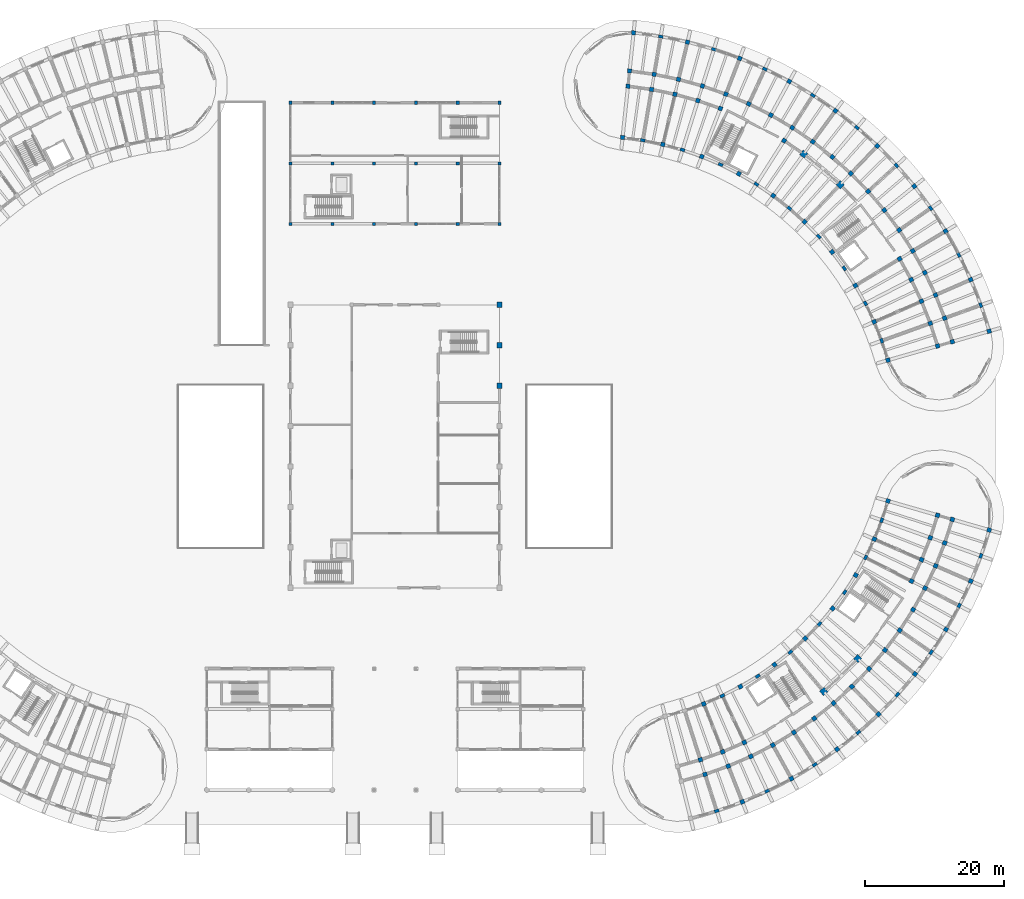
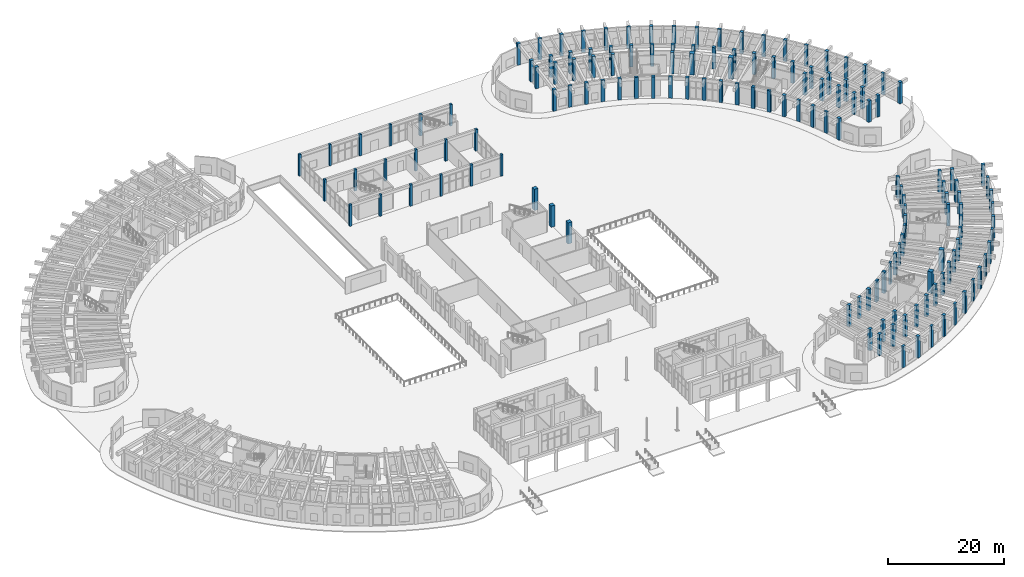
# One storey, part 5 of 132: 147 columns.
"""IFC4 building model written with IfcOpenShell, lengths in metres."""

from ifc_helpers import new_model, si_unit, direction, frame, origin, origin_2d, place, context, subcontext, project, spatial, rectangle, extrude, material, material_profile, profile_set, type_object, element, save


model = new_model("IFC4")

# Units and contexts
model_context = context("Model", 3, precision=1e-05, world=origin(), true_north=direction((0.0, 1.0)))
body_context = subcontext(model_context, "Body", "Model", "MODEL_VIEW")
ifc_project = project(units=[si_unit("LENGTHUNIT", "METRE"), si_unit("AREAUNIT", "SQUARE_METRE"), si_unit("VOLUMEUNIT", "CUBIC_METRE"), si_unit("PLANEANGLEUNIT", "RADIAN"), si_unit("MASSUNIT", "GRAM", prefix="KILO")], contexts=[model_context])

# Site, building, storey
site_placement = place(None, origin())
site = spatial("IfcSite", under=ifc_project, at=site_placement, CompositionType="ELEMENT")
building_placement = place(site_placement, origin())
building = spatial("IfcBuilding", under=site, at=building_placement, Name="Tanwirah Colonnade Gardens", CompositionType="ELEMENT")
storey_placement = place(building_placement, origin())
storey = spatial("IfcBuildingStorey", under=building, at=storey_placement, Name="L00", CompositionType="ELEMENT", Elevation=0.0)

# Columns
ifc_material_1 = material(Name="Precast concrete C40/50", Category="concrete")
ifc_material_profile_1 = material_profile(ifc_material_1, rectangle(XDim=0.449951171875, YDim=0.449951171875, at=origin_2d()), Name="PC-COL 450x450")
ifc_profile_set_1 = profile_set([ifc_material_profile_1], Name="Precast concrete C40/50")
column_type_1 = type_object("IfcColumnType", Name="C-PC450", PredefinedType="COLUMN", material=ifc_profile_set_1)
for number, where, z_axis, x_axis, name in (
    (1, (78.0, 92.0, 0.0), (0.0, 0.0, 1.0), (1.0, 0.0, 0.0), "Nursery L00 Column 0.0"),
    (2, (78.0, 100.699951171875, 0.0), (0.0, 0.0, 1.0), (1.0, 0.0, 0.0), "Nursery L00 Column 0.1"),
    (3, (78.0, 109.39990234375, 0.0), (0.0, 0.0, 1.0), (1.0, 0.0, 0.0), "Nursery L00 Column 0.2"),
    (4, (84.0, 92.0, 0.0), (0.0, 0.0, 1.0), (1.0, 0.0, 0.0), "Nursery L00 Column 1.0"),
    (5, (84.0, 100.699951171875, 0.0), (0.0, 0.0, 1.0), (1.0, 0.0, 0.0), "Nursery L00 Column 1.1"),
    (6, (84.0, 109.39990234375, 0.0), (0.0, 0.0, 1.0), (1.0, 0.0, 0.0), "Nursery L00 Column 1.2"),
    (7, (90.0, 92.0, 0.0), (0.0, 0.0, 1.0), (1.0, 0.0, 0.0), "Nursery L00 Column 2.0"),
    (8, (90.0, 100.699951171875, 0.0), (0.0, 0.0, 1.0), (1.0, 0.0, 0.0), "Nursery L00 Column 2.1"),
    (9, (90.0, 109.39990234375, 0.0), (0.0, 0.0, 1.0), (1.0, 0.0, 0.0), "Nursery L00 Column 2.2"),
    (10, (96.0, 92.0, 0.0), (0.0, 0.0, 1.0), (1.0, 0.0, 0.0), "Nursery L00 Column 3.0"),
    (11, (96.0, 100.699951171875, 0.0), (0.0, 0.0, 1.0), (1.0, 0.0, 0.0), "Nursery L00 Column 3.1"),
    (12, (96.0, 109.39990234375, 0.0), (0.0, 0.0, 1.0), (1.0, 0.0, 0.0), "Nursery L00 Column 3.2"),
    (13, (102.0, 92.0, 0.0), (0.0, 0.0, 1.0), (1.0, 0.0, 0.0), "Nursery L00 Column 4.0"),
    (14, (102.0, 100.699951171875, 0.0), (0.0, 0.0, 1.0), (1.0, 0.0, 0.0), "Nursery L00 Column 4.1"),
    (15, (102.0, 109.39990234375, 0.0), (0.0, 0.0, 1.0), (1.0, 0.0, 0.0), "Nursery L00 Column 4.2"),
    (16, (108.0, 92.0, 0.0), (0.0, 0.0, 1.0), (1.0, 0.0, 0.0), "Nursery L00 Column 5.0"),
    (17, (108.0, 100.699951171875, 0.0), (0.0, 0.0, 1.0), (1.0, 0.0, 0.0), "Nursery L00 Column 5.1"),
    (18, (108.0, 109.39990234375, 0.0), (0.0, 0.0, 1.0), (1.0, 0.0, 0.0), "Nursery L00 Column 5.2"),
):
    element("IfcColumn", number, at=place(storey_placement, frame(where, z_axis=z_axis, x_axis=x_axis)), inside=storey, type_object=column_type_1, Name=name, PredefinedType="COLUMN", context=body_context, shape_type="SweptSolid", body=[
        extrude(rectangle(XDim=0.449951171875, YDim=0.449951171875, at=origin_2d()), origin(), (0.0, 0.0, 1.0), 4.4951171875),
    ])
ifc_material_2 = material(Name="Precast concrete C45/55", Category="concrete")
ifc_material_profile_2 = material_profile(ifc_material_2, rectangle(XDim=0.610107421875, YDim=0.610107421875, at=origin_2d()), Name="PC-COL 610x610")
ifc_profile_set_2 = profile_set([ifc_material_profile_2], Name="Precast concrete C45/55")
column_type_2 = type_object("IfcColumnType", Name="C-PC580", PredefinedType="COLUMN", material=ifc_profile_set_2)
for number, where, z_axis, x_axis, name in (
    (19, (136.80712890625, 15.1181640625, 0.0), (0.0, 0.0, 1.0), (0.304864299028, -0.952395799643, 0.0), "Block D L00 Column 1-R1"),
    (20, (137.47802734375, 13.02294921875, 0.0), (0.0, 0.0, 1.0), (0.304864299028, -0.952395799643, 0.0), "Block D L00 Column 1-R2"),
    (21, (137.291015625, 23.142822265625, 0.0), (0.0, 0.0, 1.0), (0.366501226724, -0.930417567982, 0.0), "Block D L00 Column 2-R0"),
    (22, (140.003173828125, 16.2578125, 0.0), (0.0, 0.0, 1.0), (0.366501226724, -0.930417567982, 0.0), "Block D L00 Column 2-R1"),
    (23, (140.809326171875, 14.2109375, 0.0), (0.0, 0.0, 1.0), (0.366501226724, -0.930417567982, 0.0), "Block D L00 Column 2-R2"),
    (24, (142.8251953125, 9.09375, 0.0), (0.0, 0.0, 1.0), (0.366501226724, -0.930417567982, 0.0), "Block D L00 Column 2-R3"),
    (25, (143.11767578125, 17.60400390625, 0.0), (0.0, 0.0, 1.0), (0.426568739901, -0.904455145454, 0.0), "Block D L00 Column 3-R1"),
    (26, (144.05615234375, 15.6142578125, 0.0), (0.0, 0.0, 1.0), (0.426568739901, -0.904455145454, 0.0), "Block D L00 Column 3-R2"),
    (27, (142.5498046875, 25.623046875, 0.0), (0.0, 0.0, 1.0), (0.484809620246, -0.874619707139, 0.0), "Block D L00 Column 4-R0"),
    (28, (147.203857421875, 17.226806640625, 0.0), (0.0, 0.0, 1.0), (0.484809620246, -0.874619707139, 0.0), "Block D L00 Column 4-R2"),
    (29, (149.870361328125, 12.41650390625, 0.0), (0.0, 0.0, 1.0), (0.484809620246, -0.874619707139, 0.0), "Block D L00 Column 4-R3"),
    (30, (150.23974609375, 19.041748046875, 0.0), (0.0, 0.0, 1.0), (0.540974471368, -0.841039012964, 0.0), "Block D L00 Column 5-R2"),
    (31, (147.43994140625, 28.7685546875, 0.0), (0.0, 0.0, 1.0), (0.594822786751, -0.803856860617, 0.0), "Block D L00 Column 6-R0"),
    (32, (153.150146484375, 21.051513671875, 0.0), (0.0, 0.0, 1.0), (0.594822786751, -0.803856860617, 0.0), "Block D L00 Column 6-R2"),
    (33, (156.421630859375, 16.63037109375, 0.0), (0.0, 0.0, 1.0), (0.594822786751, -0.803856860617, 0.0), "Block D L00 Column 6-R3"),
    (34, (155.923095703125, 23.247314453125, 0.0), (0.0, 0.0, 1.0), (0.646123979643, -0.763232469783, 0.0), "Block D L00 Column 7-R2"),
    (35, (151.877685546875, 32.525390625, 0.0), (0.0, 0.0, 1.0), (0.694658370459, -0.719339800339, 0.0), "Block D L00 Column 8-R0"),
    (36, (158.54638671875, 25.61962890625, 0.0), (0.0, 0.0, 1.0), (0.694658370459, -0.719339800339, 0.0), "Block D L00 Column 8-R2"),
    (37, (162.366943359375, 21.663330078125, 0.0), (0.0, 0.0, 1.0), (0.694658370459, -0.719339800339, 0.0), "Block D L00 Column 8-R3"),
    (38, (161.0087890625, 28.15869140625, 0.0), (0.0, 0.0, 1.0), (0.740218127487, -0.672366807435, 0.0), "Block D L00 Column 9-R2"),
    (39, (155.786865234375, 36.829345703125, 0.0), (0.0, 0.0, 1.0), (0.782608156852, -0.622514636638, 0.0), "Block D L00 Column 10-R0"),
    (40, (163.300048828125, 30.85302734375, 0.0), (0.0, 0.0, 1.0), (0.782608156852, -0.622514636638, 0.0), "Block D L00 Column 10-R2"),
    (41, (167.604248046875, 27.42919921875, 0.0), (0.0, 0.0, 1.0), (0.782608156852, -0.622514636638, 0.0), "Block D L00 Column 10-R3"),
    (42, (165.409912109375, 33.691650390625, 0.0), (0.0, 0.0, 1.0), (0.821646937942, -0.569996762596, 0.0), "Block D L00 Column 11-R2"),
    (43, (159.10107421875, 41.6064453125, 0.0), (0.0, 0.0, 1.0), (0.857167300702, -0.51503807491, 0.0), "Block D L00 Column 12-R0"),
    (44, (167.329833984375, 36.662109375, 0.0), (0.0, 0.0, 1.0), (0.857167300702, -0.51503807491, 0.0), "Block D L00 Column 12-R2"),
    (45, (172.04443359375, 33.82958984375, 0.0), (0.0, 0.0, 1.0), (0.857167300702, -0.51503807491, 0.0), "Block D L00 Column 12-R3"),
    (46, (167.095458984375, 40.75927734375, 0.0), (0.0, 0.0, 1.0), (0.889017141486, -0.457873915117, 0.0), "Block D L00 Column 13-R1"),
    (47, (169.05126953125, 39.751953125, 0.0), (0.0, 0.0, 1.0), (0.889017141486, -0.457873915117, 0.0), "Block D L00 Column 13-R2"),
    (48, (161.763427734375, 46.775634765625, 0.0), (0.0, 0.0, 1.0), (0.917060074385, -0.398749068925, 0.0), "Block D L00 Column 14-R0"),
    (49, (168.549560546875, 43.824951171875, 0.0), (0.0, 0.0, 1.0), (0.917060074385, -0.398749068925, 0.0), "Block D L00 Column 14-R1"),
    (50, (170.567138671875, 42.947509765625, 0.0), (0.0, 0.0, 1.0), (0.917060074385, -0.398749068925, 0.0), "Block D L00 Column 14-R2"),
    (51, (175.61083984375, 40.75439453125, 0.0), (0.0, 0.0, 1.0), (0.917060074385, -0.398749068925, 0.0), "Block D L00 Column 14-R3"),
    (52, (169.800048828125, 46.97900390625, 0.0), (0.0, 0.0, 1.0), (0.941176015256, -0.337916718003, 0.0), "Block D L00 Column 15-R1"),
    (53, (171.87060546875, 46.235595703125, 0.0), (0.0, 0.0, 1.0), (0.941176015256, -0.337916718003, 0.0), "Block D L00 Column 15-R2"),
    (54, (163.72802734375, 52.247802734375, 0.0), (0.0, 0.0, 1.0), (0.961261695938, -0.275637355817, 0.0), "Block D L00 Column 16-R0"),
    (55, (170.84130859375, 50.208251953125, 0.0), (0.0, 0.0, 1.0), (0.961261695938, -0.275637355817, 0.0), "Block D L00 Column 16-R1"),
    (56, (172.956298828125, 49.601806640625, 0.0), (0.0, 0.0, 1.0), (0.961261695938, -0.275637355817, 0.0), "Block D L00 Column 16-R2"),
    (57, (178.2431640625, 48.085693359375, 0.0), (0.0, 0.0, 1.0), (0.961261695938, -0.275637355817, 0.0), "Block D L00 Column 16-R3"),
):
    element("IfcColumn", number, at=place(storey_placement, frame(where, z_axis=z_axis, x_axis=x_axis)), inside=storey, type_object=column_type_2, Name=name, PredefinedType="COLUMN", context=body_context, shape_type="SweptSolid", body=[
        extrude(rectangle(XDim=0.610107421875, YDim=0.610107421875, at=origin_2d()), origin(), (0.0, 0.0, 1.0), 4.485107421875),
    ])
ifc_material_profile_3 = material_profile(ifc_material_2, rectangle(XDim=0.60009765625, YDim=0.60009765625, at=origin_2d()), Name="PC-COL 600x600")
ifc_profile_set_3 = profile_set([ifc_material_profile_3], Name="Precast concrete C45/55")
column_type_3 = type_object("IfcColumnType", Name="C-PC600", PredefinedType="COLUMN", material=ifc_profile_set_3)
for number, where, z_axis, x_axis, name in (
    (58, (163.72802734375, 72.4521484375, 0.0), (0.0, 0.0, 1.0), (0.961261695938, 0.275637355817, 0.0), "Block B L00 Column 0-R0"),
    (59, (170.84130859375, 74.49169921875, 0.0), (0.0, 0.0, 1.0), (0.961261695938, 0.275637355817, 0.0), "Block B L00 Column 0-R1"),
    (60, (172.956298828125, 75.09814453125, 0.0), (0.0, 0.0, 1.0), (0.961261695938, 0.275637355817, 0.0), "Block B L00 Column 0-R2"),
    (61, (178.2431640625, 76.6142578125, 0.0), (0.0, 0.0, 1.0), (0.961261695938, 0.275637355817, 0.0), "Block B L00 Column 0-R3"),
    (62, (169.79150390625, 77.74462890625, 0.0), (0.0, 0.0, 1.0), (0.941012076693, 0.338372976931, 0.0), "Block B L00 Column 1-R1"),
    (63, (171.86181640625, 78.489013671875, 0.0), (0.0, 0.0, 1.0), (0.941012076693, 0.338372976931, 0.0), "Block B L00 Column 1-R2"),
    (64, (161.74609375, 77.9638671875, 0.0), (0.0, 0.0, 1.0), (0.916673002238, 0.39963809499, 0.0), "Block B L00 Column 2-R0"),
    (65, (168.529541015625, 80.921142578125, 0.0), (0.0, 0.0, 1.0), (0.916673002238, 0.39963809499, 0.0), "Block B L00 Column 2-R1"),
    (66, (170.546142578125, 81.800537109375, 0.0), (0.0, 0.0, 1.0), (0.916673002238, 0.39963809499, 0.0), "Block B L00 Column 2-R2"),
    (67, (175.587890625, 83.99853515625, 0.0), (0.0, 0.0, 1.0), (0.916673002238, 0.39963809499, 0.0), "Block B L00 Column 2-R3"),
    (68, (167.06103515625, 84.0078125, 0.0), (0.0, 0.0, 1.0), (0.88835024545, 0.459166463723, 0.0), "Block B L00 Column 3-R1"),
    (69, (169.015380859375, 85.01806640625, 0.0), (0.0, 0.0, 1.0), (0.88835024545, 0.459166463723, 0.0), "Block B L00 Column 3-R2"),
    (70, (159.056640625, 83.167236328125, 0.0), (0.0, 0.0, 1.0), (0.856166891514, 0.516699384434, 0.0), "Block B L00 Column 4-R0"),
    (71, (165.392333984375, 86.990966796875, 0.0), (0.0, 0.0, 1.0), (0.856166891514, 0.516699384434, 0.0), "Block B L00 Column 4-R1"),
    (72, (167.27587890625, 88.127685546875, 0.0), (0.0, 0.0, 1.0), (0.856166891514, 0.516699384434, 0.0), "Block B L00 Column 4-R2"),
    (73, (171.984619140625, 90.969482421875, 0.0), (0.0, 0.0, 1.0), (0.856166891514, 0.516699384434, 0.0), "Block B L00 Column 4-R3"),
    (74, (165.335205078125, 91.115966796875, 0.0), (0.0, 0.0, 1.0), (0.820262803018, 0.571986830255, 0.0), "Block B L00 Column 5-R2"),
    (75, (155.706298828125, 87.971923828125, 0.0), (0.0, 0.0, 1.0), (0.780794012137, 0.624788532714, 0.0), "Block B L00 Column 6-R0"),
    (76, (163.201904296875, 93.9697265625, 0.0), (0.0, 0.0, 1.0), (0.780794012137, 0.624788532714, 0.0), "Block B L00 Column 6-R2"),
    (77, (167.496337890625, 97.40625, 0.0), (0.0, 0.0, 1.0), (0.780794012137, 0.624788532714, 0.0), "Block B L00 Column 6-R3"),
    (78, (160.88525390625, 96.677001953125, 0.0), (0.0, 0.0, 1.0), (0.73793204255, 0.674875025896, 0.0), "Block B L00 Column 7-R2"),
    (79, (151.75341796875, 92.294189453125, 0.0), (0.0, 0.0, 1.0), (0.691863164029, 0.722028643656, 0.0), "Block B L00 Column 8-R0"),
    (80, (158.395263671875, 99.2255859375, 0.0), (0.0, 0.0, 1.0), (0.691863164029, 0.722028643656, 0.0), "Block B L00 Column 8-R2"),
    (81, (162.200439453125, 103.19677734375, 0.0), (0.0, 0.0, 1.0), (0.691863164029, 0.722028643656, 0.0), "Block B L00 Column 8-R3"),
    (82, (155.74267578125, 101.604736328125, 0.0), (0.0, 0.0, 1.0), (0.642787582947, 0.766044465556, 0.0), "Block B L00 Column 9-R2"),
    (83, (147.266357421875, 96.05908203125, 0.0), (0.0, 0.0, 1.0), (0.590918572221, 0.806731207407, 0.0), "Block B L00 Column 10-R0"),
    (84, (152.939208984375, 103.8037109375, 0.0), (0.0, 0.0, 1.0), (0.590918572221, 0.806731207407, 0.0), "Block B L00 Column 10-R2"),
    (85, (156.189208984375, 108.24072265625, 0.0), (0.0, 0.0, 1.0), (0.590918572221, 0.806731207407, 0.0), "Block B L00 Column 10-R3"),
    (86, (148.816650390625, 103.956787109375, 0.0), (0.0, 0.0, 1.0), (0.536481544469, 0.843912052553, 0.0), "Block B L00 Column 11-R1"),
    (87, (149.996826171875, 105.8134765625, 0.0), (0.0, 0.0, 1.0), (0.536481544469, 0.843912052553, 0.0), "Block B L00 Column 11-R2"),
    (88, (142.3232421875, 99.20166015625, 0.0), (0.0, 0.0, 1.0), (0.479713072413, 0.877425420281, 0.0), "Block B L00 Column 12-R0"),
    (89, (146.928466796875, 107.624755859375, 0.0), (0.0, 0.0, 1.0), (0.479713072413, 0.877425420281, 0.0), "Block B L00 Column 12-R2"),
    (90, (149.56689453125, 112.45068359375, 0.0), (0.0, 0.0, 1.0), (0.479713072413, 0.877425420281, 0.0), "Block B L00 Column 12-R3"),
    (91, (143.74755859375, 109.230224609375, 0.0), (0.0, 0.0, 1.0), (0.420859860775, 0.907125668024, 0.0), "Block B L00 Column 13-R2"),
    (92, (137.010009765625, 101.666748046875, 0.0), (0.0, 0.0, 1.0), (0.36017767415, 0.932883724289, 0.0), "Block B L00 Column 14-R0"),
    (93, (139.67529296875, 108.570068359375, 0.0), (0.0, 0.0, 1.0), (0.36017767415, 0.932883724289, 0.0), "Block B L00 Column 14-R1"),
    (94, (140.467529296875, 110.622314453125, 0.0), (0.0, 0.0, 1.0), (0.36017767415, 0.932883724289, 0.0), "Block B L00 Column 14-R2"),
    (95, (142.448486328125, 115.753173828125, 0.0), (0.0, 0.0, 1.0), (0.36017767415, 0.932883724289, 0.0), "Block B L00 Column 14-R3"),
    (96, (136.44775390625, 109.6953125, 0.0), (0.0, 0.0, 1.0), (0.297930225503, 0.954587649581, 0.0), "Block B L00 Column 15-R1"),
    (97, (137.10302734375, 111.79541015625, 0.0), (0.0, 0.0, 1.0), (0.297930225503, 0.954587649581, 0.0), "Block B L00 Column 15-R2"),
    (98, (131.41845703125, 103.411865234375, 0.0), (0.0, 0.0, 1.0), (0.234388030122, 0.972143122866, 0.0), "Block B L00 Column 16-R0"),
    (99, (133.153076171875, 110.605712890625, 0.0), (0.0, 0.0, 1.0), (0.234388030122, 0.972143122866, 0.0), "Block B L00 Column 16-R1"),
    (100, (133.668701171875, 112.744384765625, 0.0), (0.0, 0.0, 1.0), (0.234388030122, 0.972143122866, 0.0), "Block B L00 Column 16-R2"),
    (101, (134.957763671875, 118.091064453125, 0.0), (0.0, 0.0, 1.0), (0.234388030122, 0.972143122866, 0.0), "Block B L00 Column 16-R3"),
    (102, (129.8056640625, 111.296875, 0.0), (0.0, 0.0, 1.0), (0.169827230012, 0.985473851478, 0.0), "Block B L00 Column 17-R1"),
    (103, (130.17919921875, 113.46484375, 0.0), (0.0, 0.0, 1.0), (0.169827230012, 0.985473851478, 0.0), "Block B L00 Column 17-R2"),
    (104, (125.646240234375, 104.406494140625, 0.0), (0.0, 0.0, 1.0), (0.104528393837, 0.994521902666, 0.0), "Block B L00 Column 18-R0"),
    (105, (126.419677734375, 111.765869140625, 0.0), (0.0, 0.0, 1.0), (0.104528393837, 0.994521902666, 0.0), "Block B L00 Column 18-R1"),
    (106, (126.649658203125, 113.953857421875, 0.0), (0.0, 0.0, 1.0), (0.104528393837, 0.994521902666, 0.0), "Block B L00 Column 18-R2"),
    (107, (127.224609375, 119.423828125, 0.0), (0.0, 0.0, 1.0), (0.104528393837, 0.994521902666, 0.0), "Block B L00 Column 18-R3"),
):
    element("IfcColumn", number, at=place(storey_placement, frame(where, z_axis=z_axis, x_axis=x_axis)), inside=storey, type_object=column_type_3, Name=name, PredefinedType="COLUMN", context=body_context, shape_type="SweptSolid", body=[
        extrude(rectangle(XDim=0.60009765625, YDim=0.60009765625, at=origin_2d()), origin(), (0.0, 0.0, 1.0), 4.485107421875),
    ])
ifc_material_3 = material(Name="Concrete C45/55", Category="concrete")
ifc_material_profile_4 = material_profile(ifc_material_3, rectangle(XDim=0.75, YDim=0.75, at=origin_2d()), Name="RC-COL 750x750")
ifc_profile_set_4 = profile_set([ifc_material_profile_4], Name="Concrete C45/55")
column_type_4 = type_object("IfcColumnType", Name="C-RC750", PredefinedType="COLUMN", material=ifc_profile_set_4)
for number, where, z_axis, x_axis, name in (
    (108, (108.0, 68.800048828125, 0.0), (0.0, 0.0, 1.0), (1.0, 0.0, 0.0), "Community Hall L00 Column 3.5"),
    (109, (108.0, 74.60009765625, 0.0), (0.0, 0.0, 1.0), (1.0, 0.0, 0.0), "Community Hall L00 Column 3.6"),
    (110, (108.0, 80.39990234375, 0.0), (0.0, 0.0, 1.0), (1.0, 0.0, 0.0), "Community Hall L00 Column 3.7"),
):
    element("IfcColumn", number, at=place(storey_placement, frame(where, z_axis=z_axis, x_axis=x_axis)), inside=storey, type_object=column_type_4, Name=name, PredefinedType="COLUMN", context=body_context, shape_type="SweptSolid", body=[
        extrude(rectangle(XDim=0.75, YDim=0.75, at=origin_2d()), origin(), (0.0, 0.0, 1.0), 4.465087890625),
    ])
ifc_material_4 = material(Name="Concrete C50/60", Category="concrete")
ifc_material_profile_5 = material_profile(ifc_material_4, rectangle(XDim=0.85009765625, YDim=0.85009765625, at=origin_2d()), Name="RC-COL 850x850")
ifc_profile_set_5 = profile_set([ifc_material_profile_5], Name="Concrete C50/60")
column_type_5 = type_object("IfcColumnType", Name="C-RC850", PredefinedType="COLUMN", material=ifc_profile_set_5)
for number, where, z_axis, x_axis, name in (
    (111, (156.873046875, 97.63720703125, 0.0), (0.0, 0.0, 1.0), (0.691863164029, 0.722028643656, 0.0), "Block B L00 Column 8-R1"),
    (112, (151.63916015625, 102.029052734375, 0.0), (0.0, 0.0, 1.0), (0.590918572221, 0.806731207407, 0.0), "Block B L00 Column 10-R1"),
    (113, (154.50146484375, 24.926513671875, 0.0), (0.0, 0.0, 1.0), (0.646123979643, -0.763232469783, 0.0), "Block D L00 Column 7-R1"),
    (114, (159.38037109375, 29.6376953125, 0.0), (0.0, 0.0, 1.0), (0.740218127487, -0.672366807435, 0.0), "Block D L00 Column 9-R1"),
):
    element("IfcColumn", number, at=place(storey_placement, frame(where, z_axis=z_axis, x_axis=x_axis)), inside=storey, type_object=column_type_5, Name=name, PredefinedType="COLUMN", context=body_context, shape_type="SweptSolid", body=[
        extrude(rectangle(XDim=0.85009765625, YDim=0.85009765625, at=origin_2d()), origin(), (0.0, 0.0, 1.0), 4.485107421875),
    ])
ifc_material_profile_6 = material_profile(ifc_material_2, rectangle(XDim=0.429931640625, YDim=0.68994140625, at=origin_2d()), Name="PC-PIL 430x690")
ifc_profile_set_6 = profile_set([ifc_material_profile_6], Name="Precast concrete C45/55")
column_type_6 = type_object("IfcColumnType", Name="PIL-400", PredefinedType="PILASTER", material=ifc_profile_set_6)
for number, where, z_axis, x_axis, name in (
    (115, (139.15478515625, 7.784912109375, 0.0), (0.0, 0.0, 1.0), (0.304864299028, -0.952395799643, 0.0), "Block D L00 Column 1-R3"),
    (116, (139.9609375, 24.296875, 0.0), (0.0, 0.0, 1.0), (0.426568739901, -0.904455145454, 0.0), "Block D L00 Column 3-R0"),
    (117, (146.402099609375, 10.6396484375, 0.0), (0.0, 0.0, 1.0), (0.426568739901, -0.904455145454, 0.0), "Block D L00 Column 3-R3"),
    (118, (145.04638671875, 27.11572265625, 0.0), (0.0, 0.0, 1.0), (0.540974471368, -0.841039012964, 0.0), "Block D L00 Column 5-R0"),
    (119, (153.215087890625, 14.416015625, 0.0), (0.0, 0.0, 1.0), (0.540974471368, -0.841039012964, 0.0), "Block D L00 Column 5-R3"),
    (120, (149.72021484375, 30.57421875, 0.0), (0.0, 0.0, 1.0), (0.646123979643, -0.763232469783, 0.0), "Block D L00 Column 7-R0"),
    (121, (159.4765625, 19.049560546875, 0.0), (0.0, 0.0, 1.0), (0.646123979643, -0.763232469783, 0.0), "Block D L00 Column 7-R3"),
    (122, (153.902587890625, 34.61328125, 0.0), (0.0, 0.0, 1.0), (0.740218127487, -0.672366807435, 0.0), "Block D L00 Column 9-R0"),
    (123, (165.080078125, 24.46044921875, 0.0), (0.0, 0.0, 1.0), (0.740218127487, -0.672366807435, 0.0), "Block D L00 Column 9-R3"),
    (124, (157.522216796875, 39.16357421875, 0.0), (0.0, 0.0, 1.0), (0.821646937942, -0.569996762596, 0.0), "Block D L00 Column 11-R0"),
    (125, (169.928955078125, 30.556640625, 0.0), (0.0, 0.0, 1.0), (0.821646937942, -0.569996762596, 0.0), "Block D L00 Column 11-R3"),
    (126, (160.516845703125, 44.1474609375, 0.0), (0.0, 0.0, 1.0), (0.889017141486, -0.457873915117, 0.0), "Block D L00 Column 13-R0"),
    (127, (173.94091796875, 37.233642578125, 0.0), (0.0, 0.0, 1.0), (0.889017141486, -0.457873915117, 0.0), "Block D L00 Column 13-R3"),
    (128, (162.835205078125, 49.4794921875, 0.0), (0.0, 0.0, 1.0), (0.941176015256, -0.337916718003, 0.0), "Block D L00 Column 15-R0"),
    (129, (177.047119140625, 44.376953125, 0.0), (0.0, 0.0, 1.0), (0.941176015256, -0.337916718003, 0.0), "Block D L00 Column 15-R3"),
):
    element("IfcColumn", number, at=place(storey_placement, frame(where, z_axis=z_axis, x_axis=x_axis)), inside=storey, type_object=column_type_6, Name=name, PredefinedType="PILASTER", context=body_context, shape_type="SweptSolid", body=[
        extrude(rectangle(XDim=0.429931640625, YDim=0.68994140625, at=origin_2d()), origin(), (0.0, 0.0, 1.0), 4.485107421875),
    ])
ifc_material_profile_7 = material_profile(ifc_material_2, rectangle(XDim=0.419921875, YDim=0.679931640625, at=origin_2d()), Name="PC-PIL 420x680")
ifc_profile_set_7 = profile_set([ifc_material_profile_7], Name="Precast concrete C45/55")
column_type_7 = type_object("IfcColumnType", Name="PIL-420", PredefinedType="PILASTER", material=ifc_profile_set_7)
for number, where, z_axis, x_axis, name in (
    (130, (162.827880859375, 75.24072265625, 0.0), (0.0, 0.0, 1.0), (0.941012076693, 0.338372976931, 0.0), "Block B L00 Column 1-R0"),
    (131, (177.037353515625, 80.35009765625, 0.0), (0.0, 0.0, 1.0), (0.941012076693, 0.338372976931, 0.0), "Block B L00 Column 1-R3"),
    (132, (160.487060546875, 80.60986328125, 0.0), (0.0, 0.0, 1.0), (0.88835024545, 0.459166463723, 0.0), "Block B L00 Column 3-R0"),
    (133, (173.9013671875, 87.54345703125, 0.0), (0.0, 0.0, 1.0), (0.88835024545, 0.459166463723, 0.0), "Block B L00 Column 3-R3"),
    (134, (157.460693359375, 85.624755859375, 0.0), (0.0, 0.0, 1.0), (0.820262803018, 0.571986830255, 0.0), "Block B L00 Column 5-R0"),
    (135, (169.8466796875, 94.26171875, 0.0), (0.0, 0.0, 1.0), (0.820262803018, 0.571986830255, 0.0), "Block B L00 Column 5-R3"),
    (136, (153.801025390625, 90.1982421875, 0.0), (0.0, 0.0, 1.0), (0.73793204255, 0.674875025896, 0.0), "Block B L00 Column 7-R0"),
    (137, (164.94384765625, 100.388916015625, 0.0), (0.0, 0.0, 1.0), (0.73793204255, 0.674875025896, 0.0), "Block B L00 Column 7-R3"),
    (138, (149.572021484375, 94.250732421875, 0.0), (0.0, 0.0, 1.0), (0.642787582947, 0.766044465556, 0.0), "Block B L00 Column 9-R0"),
    (139, (159.278076171875, 105.81787109375, 0.0), (0.0, 0.0, 1.0), (0.642787582947, 0.766044465556, 0.0), "Block B L00 Column 9-R3"),
    (140, (144.8466796875, 97.7119140625, 0.0), (0.0, 0.0, 1.0), (0.536481544469, 0.843912052553, 0.0), "Block B L00 Column 11-R0"),
    (141, (152.947509765625, 110.455078125, 0.0), (0.0, 0.0, 1.0), (0.536481544469, 0.843912052553, 0.0), "Block B L00 Column 11-R3"),
    (142, (139.707275390625, 100.521728515625, 0.0), (0.0, 0.0, 1.0), (0.420859860775, 0.907125668024, 0.0), "Block B L00 Column 13-R0"),
    (143, (146.062255859375, 114.21923828125, 0.0), (0.0, 0.0, 1.0), (0.420859860775, 0.907125668024, 0.0), "Block B L00 Column 13-R3"),
    (144, (134.242919921875, 102.63134765625, 0.0), (0.0, 0.0, 1.0), (0.297930225503, 0.954587649581, 0.0), "Block B L00 Column 15-R0"),
    (145, (138.74169921875, 117.045654296875, 0.0), (0.0, 0.0, 1.0), (0.297930225503, 0.954587649581, 0.0), "Block B L00 Column 15-R3"),
    (146, (128.548828125, 104.00439453125, 0.0), (0.0, 0.0, 1.0), (0.169827230012, 0.985473851478, 0.0), "Block B L00 Column 17-R0"),
    (147, (131.11328125, 118.885009765625, 0.0), (0.0, 0.0, 1.0), (0.169827230012, 0.985473851478, 0.0), "Block B L00 Column 17-R3"),
):
    element("IfcColumn", number, at=place(storey_placement, frame(where, z_axis=z_axis, x_axis=x_axis)), inside=storey, type_object=column_type_7, Name=name, PredefinedType="PILASTER", context=body_context, shape_type="SweptSolid", body=[
        extrude(rectangle(XDim=0.419921875, YDim=0.679931640625, at=origin_2d()), origin(), (0.0, 0.0, 1.0), 4.485107421875),
    ])

save(model, "model.ifc")
